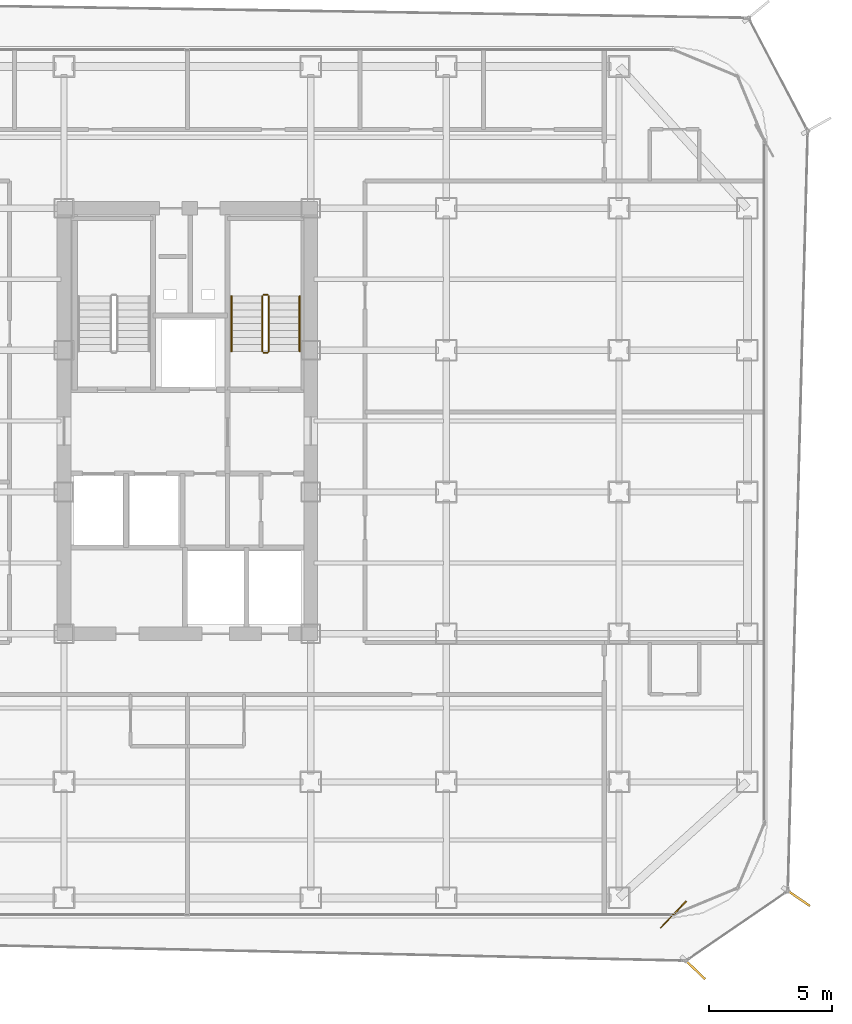
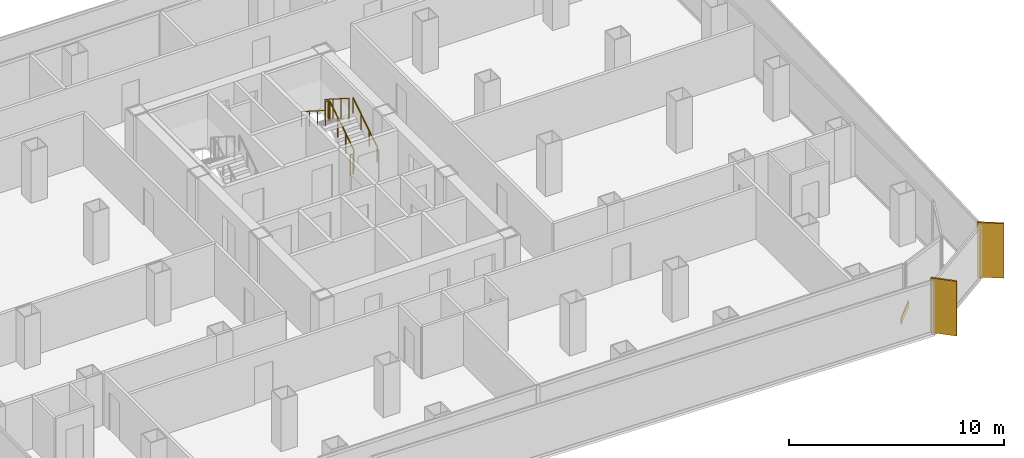
# One storey, part 20 of 21: 6 railings, 2 shading devices, 1 covering.
"""IFC4 building model written with IfcOpenShell, lengths in metres."""

from ifc_helpers import new_model, si_unit, direction, frame, origin, origin_2d, place, context, subcontext, project, spatial, rectangle, circle, extrude, source, transform, mapped, material, layer, layer_set, type_object, element, save


model = new_model("IFC4")

# Units and contexts
model_context = context("Model", 3, precision=1e-05, world=origin(), true_north=direction((0.0, 1.0)))
body_context = subcontext(model_context, "Body", "Model", "MODEL_VIEW")
ifc_project = project(units=[si_unit("LENGTHUNIT", "METRE"), si_unit("AREAUNIT", "SQUARE_METRE"), si_unit("VOLUMEUNIT", "CUBIC_METRE"), si_unit("PLANEANGLEUNIT", "RADIAN"), si_unit("MASSUNIT", "GRAM", prefix="KILO")], contexts=[model_context])

# Site, building, storey
site_placement = place(None, origin())
site = spatial("IfcSite", under=ifc_project, at=site_placement, CompositionType="ELEMENT")
building_placement = place(site_placement, origin())
building = spatial("IfcBuilding", under=site, at=building_placement, Name="Kolveth Station Tower", CompositionType="ELEMENT")
storey_placement = place(building_placement, frame((0.0, 0.0, 134.300048828125)))
storey = spatial("IfcBuildingStorey", under=building, at=storey_placement, Name="L37", CompositionType="ELEMENT", Elevation=134.300048828125)

# Railings
ifc_material_1 = material(Name="Painted Steel S355 balustrade", Category="steel")
railing_type_1 = type_object("IfcRailingType", Name="Guard_GR2", PredefinedType="BALUSTRADE", material=ifc_material_1)
railing_1_placement = place(storey_placement, frame((26.800048828125, 22.949951171875, 0.177734375)))
element("IfcRailing", 1, at=railing_1_placement, inside=storey, type_object=railing_type_1, Name="L37 ST2 stair guard 1", PredefinedType="BALUSTRADE", context=body_context, shape_type="SweptSolid", body=[
    extrude(circle(Radius=0.02392578125, at=origin_2d()), frame((0.0, 0.0, 1.1259765625), z_axis=(0.0, 0.8442293374, 0.53598211339), x_axis=(-1.0, 0.0, 0.0)), (0.0, 0.0, 1.0), 2.6533203125),
    extrude(circle(Radius=0.02099609375, at=origin_2d()), origin(), (0.0, 0.0, 1.0), 1.101806640625),
    extrude(circle(Radius=0.02099609375, at=origin_2d()), frame((0.0, 0.74658203125, 0.47412109375)), (0.0, 0.0, 1.0), 1.101806640625),
    extrude(circle(Radius=0.02099609375, at=origin_2d()), frame((0.0, 1.493408203125, 0.947998046875)), (0.0, 0.0, 1.0), 1.101806640625),
    extrude(circle(Radius=0.02099609375, at=origin_2d()), frame((0.0, 2.239990234375, 1.422119140625)), (0.0, 0.0, 1.0), 1.101806640625),
])
railing_2_placement = place(storey_placement, frame((26.75, 25.239990234375, 1.599853515625)))
element("IfcRailing", 2, at=railing_2_placement, inside=storey, type_object=railing_type_1, Name="L37 ST2 stair guard 2", PredefinedType="BALUSTRADE", context=body_context, shape_type="SweptSolid", body=[
    extrude(circle(Radius=0.02392578125, at=origin_2d()), frame((0.0, 0.0, 1.1259765625), z_axis=(-1.0, 0.0, 0.0), x_axis=(0.0, -1.0, 0.0)), (0.0, 0.0, 1.0), 0.159912109375),
    extrude(circle(Radius=0.02099609375, at=origin_2d()), origin(), (0.0, 0.0, 1.0), 1.101806640625),
    extrude(circle(Radius=0.02099609375, at=origin_2d()), frame((-0.159912109375, 0.0, 0.0)), (0.0, 0.0, 1.0), 1.101806640625),
])
railing_3_placement = place(storey_placement, frame((26.5400390625, 25.18994140625, 1.77783203125)))
element("IfcRailing", 3, at=railing_3_placement, inside=storey, type_object=railing_type_1, Name="L37 ST2 stair guard 3", PredefinedType="BALUSTRADE", context=body_context, shape_type="SweptSolid", body=[
    extrude(circle(Radius=0.02392578125, at=origin_2d()), frame((0.0, 0.0, 1.1259765625), z_axis=(0.0, -0.8442293374, 0.53598211339), x_axis=(1.0, 0.0, 0.0)), (0.0, 0.0, 1.0), 2.6533203125),
    extrude(circle(Radius=0.02099609375, at=origin_2d()), origin(), (0.0, 0.0, 1.0), 1.101806640625),
    extrude(circle(Radius=0.02099609375, at=origin_2d()), frame((0.0, -0.74658203125, 0.47412109375)), (0.0, 0.0, 1.0), 1.101806640625),
    extrude(circle(Radius=0.02099609375, at=origin_2d()), frame((0.0, -1.493408203125, 0.947998046875)), (0.0, 0.0, 1.0), 1.101806640625),
    extrude(circle(Radius=0.02099609375, at=origin_2d()), frame((0.0, -2.239990234375, 1.422119140625)), (0.0, 0.0, 1.0), 1.101806640625),
])
railing_4_placement = place(storey_placement, frame((26.75, 22.89990234375, 0.0)))
element("IfcRailing", 4, at=railing_4_placement, inside=storey, type_object=railing_type_1, Name="L37 ST2 stair guard 4", PredefinedType="BALUSTRADE", context=body_context, shape_type="SweptSolid", body=[
    extrude(circle(Radius=0.02392578125, at=origin_2d()), frame((0.0, 0.0, 1.1259765625), z_axis=(-1.0, 0.0, 0.0), x_axis=(0.0, -1.0, 0.0)), (0.0, 0.0, 1.0), 0.159912109375),
    extrude(circle(Radius=0.02099609375, at=origin_2d()), origin(), (0.0, 0.0, 1.0), 1.101806640625),
    extrude(circle(Radius=0.02099609375, at=origin_2d()), frame((-0.159912109375, 0.0, 0.0)), (0.0, 0.0, 1.0), 1.101806640625),
])
ifc_material_2 = material(Name="Brushed stainless steel", Category="steel")
railing_type_2 = type_object("IfcRailingType", Name="Handrail_HR1", PredefinedType="HANDRAIL", material=ifc_material_2)
railing_5_placement = place(storey_placement, frame((28.050048828125, 22.949951171875, 0.177734375)))
element("IfcRailing", 5, at=railing_5_placement, inside=storey, type_object=railing_type_2, Name="L37 ST2 stair handrail 1", PredefinedType="HANDRAIL", context=body_context, shape_type="SweptSolid", body=[
    extrude(circle(Radius=0.02392578125, at=origin_2d()), frame((0.0, 0.0, 0.8759765625), z_axis=(0.0, 0.8442293374, 0.53598211339), x_axis=(-1.0, 0.0, 0.0)), (0.0, 0.0, 1.0), 2.6533203125),
    extrude(circle(Radius=0.02099609375, at=origin_2d()), origin(), (0.0, 0.0, 1.0), 0.851806640625),
    extrude(circle(Radius=0.02099609375, at=origin_2d()), frame((0.0, 0.74658203125, 0.47412109375)), (0.0, 0.0, 1.0), 0.851806640625),
    extrude(circle(Radius=0.02099609375, at=origin_2d()), frame((0.0, 1.493408203125, 0.947998046875)), (0.0, 0.0, 1.0), 0.851806640625),
    extrude(circle(Radius=0.02099609375, at=origin_2d()), frame((0.0, 2.239990234375, 1.422119140625)), (0.0, 0.0, 1.0), 0.851806640625),
])
railing_6_placement = place(storey_placement, frame((25.2900390625, 25.18994140625, 1.77783203125)))
element("IfcRailing", 6, at=railing_6_placement, inside=storey, type_object=railing_type_2, Name="L37 ST2 stair handrail 2", PredefinedType="HANDRAIL", context=body_context, shape_type="SweptSolid", body=[
    extrude(circle(Radius=0.02392578125, at=origin_2d()), frame((0.0, 0.0, 0.8759765625), z_axis=(0.0, -0.8442293374, 0.53598211339), x_axis=(1.0, 0.0, 0.0)), (0.0, 0.0, 1.0), 2.6533203125),
    extrude(circle(Radius=0.02099609375, at=origin_2d()), origin(), (0.0, 0.0, 1.0), 0.851806640625),
    extrude(circle(Radius=0.02099609375, at=origin_2d()), frame((0.0, -0.74658203125, 0.47412109375)), (0.0, 0.0, 1.0), 0.851806640625),
    extrude(circle(Radius=0.02099609375, at=origin_2d()), frame((0.0, -1.493408203125, 0.947998046875)), (0.0, 0.0, 1.0), 0.851806640625),
    extrude(circle(Radius=0.02099609375, at=origin_2d()), frame((0.0, -2.239990234375, 1.422119140625)), (0.0, 0.0, 1.0), 0.851806640625),
])

# Shading devices
ifc_material_3 = material(Name="Black anodized aluminium 6063-T6", Category="aluminium")
shading_device_type = type_object("IfcShadingDeviceType", Name="FIN_VF1", PredefinedType="USERDEFINED", material=ifc_material_3)
shared_shape_1 = source(origin(), body_context, "Body", "SweptSolid", [
    extrude(rectangle(XDim=1.25, YDim=0.090087890625, at=origin_2d()), origin(), (0.0, 0.0, 1.0), 3.10009765625),
])
for number, where, z_axis, x_axis, name in (
    (7, (44.0390625, -2.06494140625, 0.0), (0.0, 0.0, 1.0), (0.721397723859, -0.692520991747, 0.0), "L37 Dark-Aluminium Solar Fin 1"),
    (8, (48.217041015625, 0.825927734375, 0.0), (0.0, 0.0, 1.0), (0.826687964527, -0.562660651997, 0.0), "L37 Dark-Aluminium Solar Fin 2"),
):
    element("IfcShadingDevice", number, at=place(storey_placement, frame(where, z_axis=z_axis, x_axis=x_axis)), inside=storey, type_object=shading_device_type, Name=name, ObjectType="FIN", PredefinedType="USERDEFINED", context=body_context, shape_type="MappedRepresentation", body=[
        mapped(shared_shape_1, transform((0.0, 0.0, 0.0), x_axis=(1.0, 0.0, 0.0), y_axis=(0.0, 1.0, 0.0), z_axis=(0.0, 0.0, 1.0), scale=1.0)),
    ])

# Covering
ifc_material_4 = material(Name="Charcoal anodized aluminium spandrel cladding", Category="aluminium")
ifc_layer = layer(ifc_material_4, 0.044921875)
ifc_layer_set = layer_set([ifc_layer], Name="Charcoal anodized aluminium spandrel cladding")
covering_type = type_object("IfcCoveringType", Name="Clad_CD1", PredefinedType="CLADDING", material=ifc_layer_set)
shared_shape_2 = source(origin(), body_context, "Body", "SweptSolid", [
    extrude(rectangle(XDim=1.5, YDim=0.044921875, at=origin_2d()), origin(), (0.0, 0.0, 1.0), 0.360107421875),
])
covering_placement = place(storey_placement, frame((43.199951171875, 0.1201171875, 0.0), z_axis=(0.0, 0.0, 1.0), x_axis=(0.692520991747, 0.721397723859, 0.0)))
element("IfcCovering", 9, at=covering_placement, inside=storey, type_object=covering_type, Name="L37 Spandrel Edge Cladding 1", PredefinedType="CLADDING", context=body_context, shape_type="MappedRepresentation", body=[
    mapped(shared_shape_2, transform((0.0, 0.0, 0.0), x_axis=(1.0, 0.0, 0.0), y_axis=(0.0, 1.0, 0.0), z_axis=(0.0, 0.0, 1.0), scale=1.0)),
])

save(model, "model.ifc")
